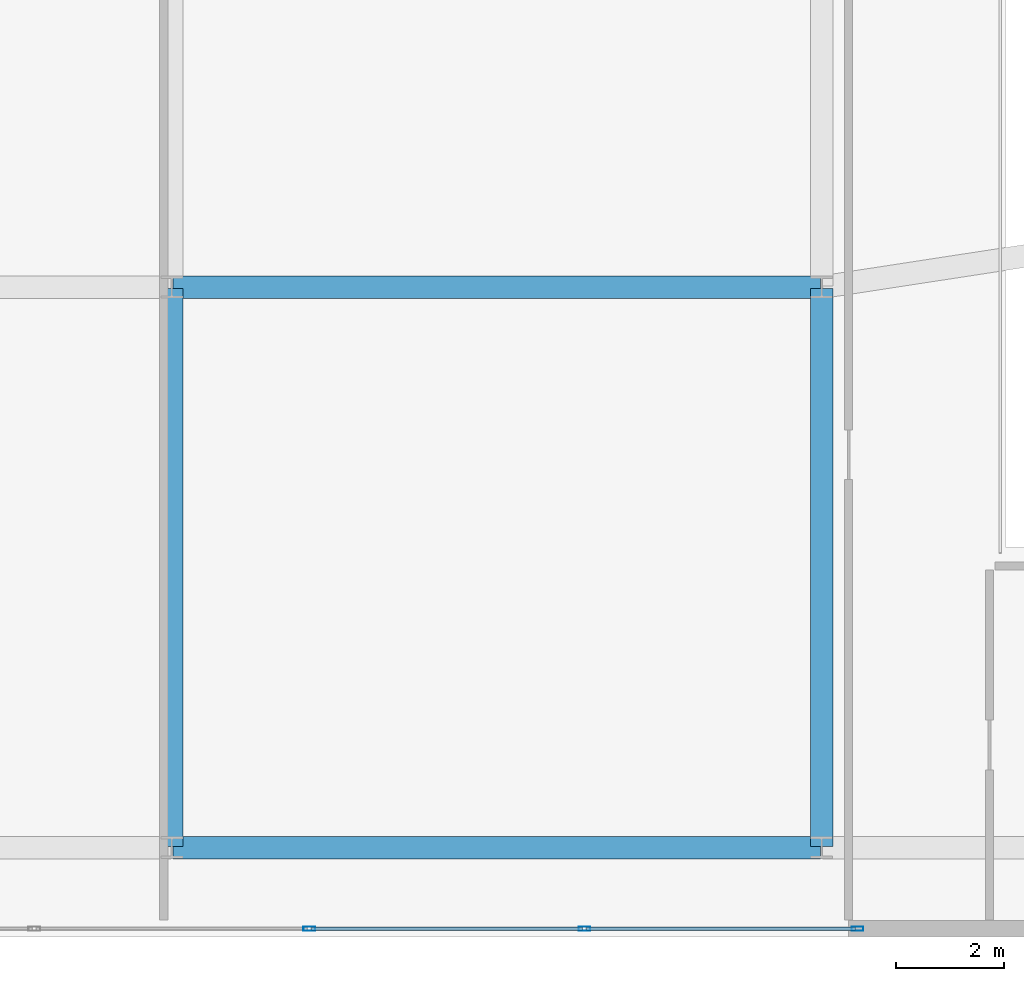
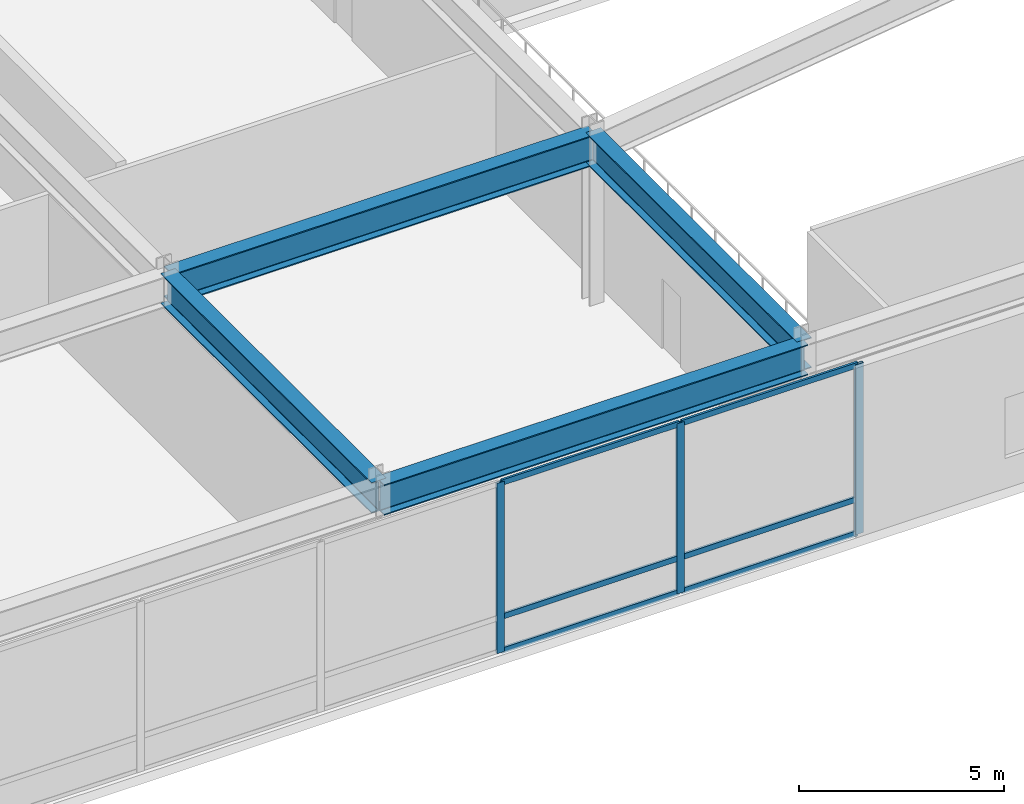
# One storey, part 6 of 13: 9 members, 4 beams, 1 element without a shape of its own.
"""IFC4 building model written with IfcOpenShell, lengths in metres."""

import ifcopenshell
import ifcopenshell.guid

model = None  # the IFC model being written
_history = None  # IfcOwnerHistory: only IFC2X3 demands one
_inside = {}  # id of a spatial element -> (the spatial element, [elements in it])
_under = {}  # id of a project, library or spatial element -> (it, [spatial elements below it])
_declared = {}  # id of a project -> (the project, [libraries it declares])
_typed = {}  # id of a type object -> (the type object, [elements of that type])
_made_of = {}  # id of a material, layer set ... -> (it, [elements and type objects made of it])


def new_model(schema):
    """Start an empty IFC model of exactly this schema.

    Asked for "IFC4X3", IfcOpenShell would pick the latest addendum, in which some entities
    have other attributes; the version numbers below select the first issue.
    IFC2X3 requires an IfcOwnerHistory on every rooted entity: one is made here for all.
    """
    global model, _history
    if schema == "IFC4X3":
        model = ifcopenshell.file(schema_version=(4, 3, 0, 0))
    else:
        model = ifcopenshell.file(schema=schema)
    _inside.clear()
    _under.clear()
    _declared.clear()
    _typed.clear()
    _made_of.clear()
    _history = None
    if model.schema == "IFC2X3":
        org = make("IfcOrganization", Name="unknown")
        user = make(
            "IfcPersonAndOrganization",
            ThePerson=make("IfcPerson", FamilyName="unknown"),
            TheOrganization=org,
        )
        app = make(
            "IfcApplication",
            ApplicationDeveloper=org,
            Version="unknown",
            ApplicationFullName="unknown",
            ApplicationIdentifier="unknown",
        )
        _history = make(
            "IfcOwnerHistory",
            OwningUser=user,
            OwningApplication=app,
            ChangeAction="ADDED",
            CreationDate=0,
        )
    return model


def make(cls, **values):
    """One entity of the class cls with the attributes given. An attribute that is None is left unset."""
    return model.create_entity(
        cls, **{name: value for name, value in values.items() if value is not None}
    )


def rooted(cls, **values):
    """An entity with a GlobalId (a new one), such as an element, a storey or a relation."""
    return make(cls, GlobalId=ifcopenshell.guid.new(), OwnerHistory=_history, **values)


def si_unit(unit_type, name, prefix=None):
    """IfcSIUnit, for example si_unit("LENGTHUNIT", "METRE", prefix="MILLI")."""
    return make("IfcSIUnit", UnitType=unit_type, Prefix=prefix, Name=name)


def assignment(units):
    """IfcUnitAssignment: the units of a project."""
    return None if units is None else make("IfcUnitAssignment", Units=units)


def point(xyz):
    """IfcCartesianPoint."""
    return None if xyz is None else make("IfcCartesianPoint", Coordinates=xyz)


def direction(xyz):
    """IfcDirection."""
    return None if xyz is None else make("IfcDirection", DirectionRatios=xyz)


def frame(location, z_axis=None, x_axis=None):
    """IfcAxis2Placement3D, a coordinate frame: its origin and axes. An axis left out is left unset."""
    return make(
        "IfcAxis2Placement3D",
        Location=point(location),
        Axis=direction(z_axis),
        RefDirection=direction(x_axis),
    )


def frame_2d(location, x_axis=None):
    """IfcAxis2Placement2D, a coordinate frame in the plane: its origin and x axis."""
    return make(
        "IfcAxis2Placement2D", Location=point(location), RefDirection=direction(x_axis)
    )


def origin():
    """The frame at (0, 0, 0) with its axes left unset."""
    return frame((0.0, 0.0, 0.0))


def origin_2d():
    """The frame at (0, 0) in the plane with its x axis left unset."""
    return frame_2d((0.0, 0.0))


def place(relative_to, where):
    """IfcLocalPlacement: puts the frame where relative to a parent placement (None: the world)."""
    return make(
        "IfcLocalPlacement", PlacementRelTo=relative_to, RelativePlacement=where
    )


def context(
    kind, dimensions, precision=None, world=None, true_north=None, identifier=None
):
    """IfcGeometricRepresentationContext, for example the 3D "Model" context."""
    return make(
        "IfcGeometricRepresentationContext",
        ContextIdentifier=identifier,
        ContextType=kind,
        CoordinateSpaceDimension=dimensions,
        Precision=precision,
        WorldCoordinateSystem=world,
        TrueNorth=true_north,
    )


def subcontext(parent, identifier, kind, view, scale=None):
    """IfcGeometricRepresentationSubContext, for example "Body" below "Model"."""
    return make(
        "IfcGeometricRepresentationSubContext",
        ContextIdentifier=identifier,
        ContextType=kind,
        ParentContext=parent,
        TargetScale=scale,
        TargetView=view,
    )


def project(units=None, contexts=None):
    """IfcProject with its units and contexts."""
    return rooted(
        "IfcProject",
        Name="project",
        RepresentationContexts=contexts,
        UnitsInContext=assignment(units),
    )


def spatial(cls, under=None, at=None, **own):
    """A site, building, storey or space (cls), placed at a placement, below another one or the project."""
    s = rooted(cls, ObjectPlacement=at, **own)
    if under is not None:
        _under.setdefault(under.id(), (under, []))[1].append(s)
    return s


def profile(cls, at=None, kind="AREA", **sizes):
    """A parametric profile (cls). Its sizes go by their IFC names, for example OverallWidth=200.0."""
    return make(cls, ProfileType=kind, Position=at, **sizes)


def hollow_rectangle(**sizes):
    """IfcRectangleHollowProfileDef."""
    return profile("IfcRectangleHollowProfileDef", **sizes)


def i_section(**sizes):
    """IfcIShapeProfileDef."""
    return profile("IfcIShapeProfileDef", **sizes)


def extrude(swept, where, along, depth):
    """IfcExtrudedAreaSolid: the profile swept, set in the frame where, extruded along a direction by depth."""
    return make(
        "IfcExtrudedAreaSolid",
        SweptArea=swept,
        Position=where,
        ExtrudedDirection=direction(along),
        Depth=depth,
    )


def shape(context_of_items, identifier, shape_type, items):
    """IfcShapeRepresentation: the items that make up one representation, for example the "Body"."""
    return make(
        "IfcShapeRepresentation",
        ContextOfItems=context_of_items,
        RepresentationIdentifier=identifier,
        RepresentationType=shape_type,
        Items=items,
    )


def source(mapping_origin, context_of_items, identifier, shape_type, items):
    """IfcRepresentationMap: a shape defined once, which mapped items show again and again."""
    return make(
        "IfcRepresentationMap",
        MappingOrigin=mapping_origin,
        MappedRepresentation=shape(context_of_items, identifier, shape_type, items),
    )


def transform(
    local_origin,
    x_axis=None,
    y_axis=None,
    z_axis=None,
    scale=None,
    scale2=None,
    scale3=None,
    uniform=True,
):
    """IfcCartesianTransformationOperator3D, or its non-uniform kind. x_axis, y_axis, z_axis: its Axis1, 2, 3."""
    if uniform:
        return make(
            "IfcCartesianTransformationOperator3D",
            Axis1=direction(x_axis),
            Axis2=direction(y_axis),
            LocalOrigin=point(local_origin),
            Scale=scale,
            Axis3=direction(z_axis),
        )
    return make(
        "IfcCartesianTransformationOperator3DnonUniform",
        Axis1=direction(x_axis),
        Axis2=direction(y_axis),
        LocalOrigin=point(local_origin),
        Scale=scale,
        Axis3=direction(z_axis),
        Scale2=scale2,
        Scale3=scale3,
    )


def mapped(mapping_source, mapping_target):
    """IfcMappedItem: shows the shape of a source again, moved by a transform."""
    return make(
        "IfcMappedItem", MappingSource=mapping_source, MappingTarget=mapping_target
    )


def material(Name=None, Category=None):
    """IfcMaterial."""
    return make("IfcMaterial", Name=Name, Category=Category)


def layer(
    of_material, thickness, ventilated=None, Name=None, Category=None, Priority=None
):
    """IfcMaterialLayer: one layer of a wall or slab, of a material (None: an air gap)."""
    return make(
        "IfcMaterialLayer",
        Material=of_material,
        LayerThickness=thickness,
        IsVentilated=ventilated,
        Name=Name,
        Category=Category,
        Priority=Priority,
    )


def layer_set(layers, Name=None):
    """IfcMaterialLayerSet."""
    return make("IfcMaterialLayerSet", MaterialLayers=layers, LayerSetName=Name)


def material_profile(
    of_material, cross_section, Name=None, Category=None, Priority=None
):
    """IfcMaterialProfile: a cross section and its material."""
    return make(
        "IfcMaterialProfile",
        Name=Name,
        Material=of_material,
        Profile=cross_section,
        Priority=Priority,
        Category=Category,
    )


def profile_set(profiles, Name=None, composite=None):
    """IfcMaterialProfileSet."""
    return make(
        "IfcMaterialProfileSet",
        Name=Name,
        MaterialProfiles=profiles,
        CompositeProfile=composite,
    )


def made_of(thing, what):
    """Note that an element or type object is made of a material, layer set ...; save() writes the relation."""
    if what is not None:
        _made_of.setdefault(what.id(), (what, []))[1].append(thing)
    return thing


def type_object(cls, material=None, **own):
    """A type object (cls), such as IfcWallType, which elements share."""
    return made_of(rooted(cls, **own), material)


def type_shapes(of_type, sources):
    """Give a type object the sources (RepresentationMaps) that its elements show as mapped items."""
    of_type.RepresentationMaps = sources


def element(
    cls,
    number,
    at=None,
    inside=None,
    cuts=None,
    type_object=None,
    material=None,
    context=None,
    identifier="Body",
    shape_type=None,
    held_by="IfcProductDefinitionShape",
    body=None,
    shapes=None,
    **own,
):
    """One element of the class cls, such as IfcWall. Its Tag is "e" and its number.

    at: its placement. inside: the storey or other place that contains it. cuts: it is an
    opening in that element (IfcRelVoidsElement). A single representation is given by context,
    identifier, shape_type and body (its items); several are given by shapes. held_by: the class
    of the entity that holds the representations. save() writes the other relations.
    """
    e = rooted(cls, Tag="e%d" % number, ObjectPlacement=at, **own)
    if body is not None:
        shapes = [shape(context, identifier, shape_type, body)]
    if shapes is not None:
        e.Representation = make(held_by, Representations=shapes)
    if inside is not None:
        _inside.setdefault(inside.id(), (inside, []))[1].append(e)
    if cuts is not None:
        rooted(
            "IfcRelVoidsElement", RelatingBuildingElement=cuts, RelatedOpeningElement=e
        )
    if type_object is not None:
        _typed.setdefault(type_object.id(), (type_object, []))[1].append(e)
    return made_of(e, material)


def aggregate(whole, parts):
    """IfcRelAggregates: a whole, such as a stair, and the parts it consists of."""
    return rooted("IfcRelAggregates", RelatingObject=whole, RelatedObjects=parts)


def save(model, path):
    """Write the relations noted so far, then the file.

    IfcRelAggregates (storeys below a building ...), IfcRelContainedInSpatialStructure (elements
    in a storey), IfcRelDefinesByType, IfcRelAssociatesMaterial and IfcRelDeclares: one each for
    every whole, place, type object, material and project.
    """
    for whole, parts in _under.values():
        aggregate(whole, parts)
    for where, things in _inside.values():
        rooted(
            "IfcRelContainedInSpatialStructure",
            RelatedElements=things,
            RelatingStructure=where,
        )
    for kind, things in _typed.values():
        rooted("IfcRelDefinesByType", RelatedObjects=things, RelatingType=kind)
    for what, things in _made_of.values():
        rooted("IfcRelAssociatesMaterial", RelatedObjects=things, RelatingMaterial=what)
    for by, libraries in _declared.values():
        rooted("IfcRelDeclares", RelatingContext=by, RelatedDefinitions=libraries)
    model.write(path)


model = new_model("IFC4")

# Units and contexts
model_context = context("Model", 3, precision=1e-05, world=origin(), true_north=direction((0.0, 1.0)))
body_context = subcontext(model_context, "Body", "Model", "MODEL_VIEW")
ifc_project = project(units=[si_unit("LENGTHUNIT", "METRE"), si_unit("AREAUNIT", "SQUARE_METRE"), si_unit("VOLUMEUNIT", "CUBIC_METRE"), si_unit("PLANEANGLEUNIT", "RADIAN"), si_unit("MASSUNIT", "GRAM", prefix="KILO")], contexts=[model_context])

# Site, building, storey
site_placement = place(None, origin())
site = spatial("IfcSite", under=ifc_project, at=site_placement, CompositionType="ELEMENT")
building_placement = place(site_placement, origin())
building = spatial("IfcBuilding", under=site, at=building_placement, Name="Varnel Quay Broadcast Tower", CompositionType="ELEMENT")
storey_placement = place(building_placement, frame((0.0, 0.0, 16.800048828125)))
storey = spatial("IfcBuildingStorey", under=building, at=storey_placement, Name="L03", CompositionType="ELEMENT", Elevation=16.800048828125)

# Beams
ifc_material_1 = material(Name="Structural Steel CSA G40.21 350W", Category="steel")
ifc_material_profile_1 = material_profile(ifc_material_1, i_section(OverallWidth=0.41796875, OverallDepth=0.912109375, WebThickness=0.019287109375, FlangeThickness=0.031982421875, FilletRadius=0.02197265625, at=origin_2d()), Name="W920X342")
ifc_profile_set_1 = profile_set([ifc_material_profile_1], Name="Structural Steel CSA G40.21 350W")
beam_type = type_object("IfcBeamType", Name="Girder_W920X342", PredefinedType="BEAM", material=ifc_profile_set_1)
shared_shape_1 = source(origin(), body_context, "Body", "SweptSolid", [
    extrude(i_section(OverallWidth=0.41796875, OverallDepth=0.912109375, WebThickness=0.019287109375, FlangeThickness=0.031982421875, FilletRadius=0.02197265625, at=origin_2d()), origin(), (0.0, 0.0, 1.0), 11.9599609375),
])
for number, where, z_axis, x_axis, name in (
    (1, (34.02001953125, 1.64990234375, 4.6240234375), (1.0, 0.0, 0.0), (0.0, 1.0, 0.0), "L03 Girder G-PS3"),
    (2, (34.02001953125, 12.0, 4.6240234375), (1.0, 0.0, 0.0), (0.0, 1.0, 0.0), "L03 Girder G-STC1B"),
):
    element("IfcBeam", number, at=place(storey_placement, frame(where, z_axis=z_axis, x_axis=x_axis)), inside=storey, type_object=beam_type, Name=name, PredefinedType="BEAM", context=body_context, shape_type="MappedRepresentation", body=[
        mapped(shared_shape_1, transform((0.0, 0.0, 0.0), x_axis=(1.0, 0.0, 0.0), y_axis=(0.0, 1.0, 0.0), z_axis=(0.0, 0.0, 1.0), scale=1.0)),
    ])
shared_shape_2 = source(origin(), body_context, "Body", "SweptSolid", [
    extrude(i_section(OverallWidth=0.41796875, OverallDepth=0.912109375, WebThickness=0.019287109375, FlangeThickness=0.031982421875, FilletRadius=0.02197265625, at=origin_2d()), origin(), (0.0, 0.0, 1.0), 10.31005859375),
])
type_shapes(beam_type, [shared_shape_1, shared_shape_2])
for number, where, z_axis, x_axis, name in (
    (3, (34.0, 1.669921875, 4.6240234375), (0.0, 1.0, 0.0), (-1.0, 0.0, 0.0), "L03 Girder G-M2B"),
    (4, (46.0, 1.669921875, 4.6240234375), (0.0, 1.0, 0.0), (-1.0, 0.0, 0.0), "L03 Girder G-M3"),
):
    element("IfcBeam", number, at=place(storey_placement, frame(where, z_axis=z_axis, x_axis=x_axis)), inside=storey, type_object=beam_type, Name=name, PredefinedType="BEAM", context=body_context, shape_type="MappedRepresentation", body=[
        mapped(shared_shape_2, transform((0.0, 0.0, 0.0), x_axis=(1.0, 0.0, 0.0), y_axis=(0.0, 1.0, 0.0), z_axis=(0.0, 0.0, 1.0), scale=1.0)),
    ])

# Curtain wall, members
ifc_material_2 = material(Name="Anodised Bronze Aluminium 6063-T6", Category="aluminium")
ifc_layer = layer(ifc_material_2, 0.18994140625, Name="Anodised Bronze Aluminium 6063-T6")
ifc_layer_set = layer_set([ifc_layer], Name="Anodised Bronze Aluminium 6063-T6")
curtain_wall_type = type_object("IfcCurtainWallType", Name="CW_PodiumForum", PredefinedType="NOTDEFINED", material=ifc_layer_set)
curtain_wall_placement = place(storey_placement, origin())
curtain_wall = element("IfcCurtainWall", 5, at=curtain_wall_placement, inside=storey, type_object=curtain_wall_type, Name="L03 Waterfront Forum Curtain Wall", PredefinedType="NOTDEFINED")
ifc_material_profile_2 = material_profile(ifc_material_2, hollow_rectangle(XDim=0.06494140625, YDim=0.1650390625, WallThickness=0.00341796875, at=origin_2d()), Name="ALU65X165X3.5")
ifc_profile_set_2 = profile_set([ifc_material_profile_2], Name="Anodised Bronze Aluminium 6063-T6")
member_type_1 = type_object("IfcMemberType", Name="Tran_CWS-01", PredefinedType="USERDEFINED", material=ifc_profile_set_2)
shared_shape_3 = source(origin(), body_context, "Body", "SweptSolid", [
    extrude(hollow_rectangle(XDim=0.06494140625, YDim=0.1650390625, WallThickness=0.00341796875, at=origin_2d()), origin(), (0.0, 0.0, 1.0), 4.967529296875),
])
member_1_placement = place(storey_placement, frame((41.657470703125, 0.14990234375, 0.032470703125), z_axis=(1.0, 0.0, 0.0), x_axis=(0.0, 1.0, 0.0)))
member_1 = element("IfcMember", 6, at=member_1_placement, type_object=member_type_1, Name="CWS-01 transom 5.1", ObjectType="TRANSOM", PredefinedType="USERDEFINED", context=body_context, shape_type="MappedRepresentation", body=[
    mapped(shared_shape_3, transform((0.0, 0.0, 0.0), x_axis=(1.0, 0.0, 0.0), y_axis=(0.0, 1.0, 0.0), z_axis=(0.0, 0.0, 1.0), scale=1.0)),
])
member_2_placement = place(storey_placement, frame((41.657470703125, 0.14990234375, 1.050048828125), z_axis=(1.0, 0.0, 0.0), x_axis=(0.0, 1.0, 0.0)))
member_2 = element("IfcMember", 7, at=member_2_placement, type_object=member_type_1, Name="CWS-01 transom 5.2", ObjectType="TRANSOM", PredefinedType="USERDEFINED", context=body_context, shape_type="MappedRepresentation", body=[
    mapped(shared_shape_3, transform((0.0, 0.0, 0.0), x_axis=(1.0, 0.0, 0.0), y_axis=(0.0, 1.0, 0.0), z_axis=(0.0, 0.0, 1.0), scale=1.0)),
])
member_3_placement = place(storey_placement, frame((41.657470703125, 0.14990234375, 5.04736328125), z_axis=(1.0, 0.0, 0.0), x_axis=(0.0, 1.0, 0.0)))
member_3 = element("IfcMember", 8, at=member_3_placement, type_object=member_type_1, Name="CWS-01 transom 5.3", ObjectType="TRANSOM", PredefinedType="USERDEFINED", context=body_context, shape_type="MappedRepresentation", body=[
    mapped(shared_shape_3, transform((0.0, 0.0, 0.0), x_axis=(1.0, 0.0, 0.0), y_axis=(0.0, 1.0, 0.0), z_axis=(0.0, 0.0, 1.0), scale=1.0)),
])
shared_shape_4 = source(origin(), body_context, "Body", "SweptSolid", [
    extrude(hollow_rectangle(XDim=0.06494140625, YDim=0.1650390625, WallThickness=0.00341796875, at=origin_2d()), origin(), (0.0, 0.0, 1.0), 5.005126953125),
])
type_shapes(member_type_1, [shared_shape_3, shared_shape_4])
member_4_placement = place(storey_placement, frame((36.577392578125, 0.14990234375, 0.032470703125), z_axis=(1.0, 0.0, 0.0), x_axis=(0.0, 1.0, 0.0)))
member_4 = element("IfcMember", 9, at=member_4_placement, type_object=member_type_1, Name="CWS-01 transom 4.1", ObjectType="TRANSOM", PredefinedType="USERDEFINED", context=body_context, shape_type="MappedRepresentation", body=[
    mapped(shared_shape_4, transform((0.0, 0.0, 0.0), x_axis=(1.0, 0.0, 0.0), y_axis=(0.0, 1.0, 0.0), z_axis=(0.0, 0.0, 1.0), scale=1.0)),
])
member_5_placement = place(storey_placement, frame((36.577392578125, 0.14990234375, 1.050048828125), z_axis=(1.0, 0.0, 0.0), x_axis=(0.0, 1.0, 0.0)))
member_5 = element("IfcMember", 10, at=member_5_placement, type_object=member_type_1, Name="CWS-01 transom 4.2", ObjectType="TRANSOM", PredefinedType="USERDEFINED", context=body_context, shape_type="MappedRepresentation", body=[
    mapped(shared_shape_4, transform((0.0, 0.0, 0.0), x_axis=(1.0, 0.0, 0.0), y_axis=(0.0, 1.0, 0.0), z_axis=(0.0, 0.0, 1.0), scale=1.0)),
])
member_6_placement = place(storey_placement, frame((36.577392578125, 0.14990234375, 5.04736328125), z_axis=(1.0, 0.0, 0.0), x_axis=(0.0, 1.0, 0.0)))
member_6 = element("IfcMember", 11, at=member_6_placement, type_object=member_type_1, Name="CWS-01 transom 4.3", ObjectType="TRANSOM", PredefinedType="USERDEFINED", context=body_context, shape_type="MappedRepresentation", body=[
    mapped(shared_shape_4, transform((0.0, 0.0, 0.0), x_axis=(1.0, 0.0, 0.0), y_axis=(0.0, 1.0, 0.0), z_axis=(0.0, 0.0, 1.0), scale=1.0)),
])
ifc_material_profile_3 = material_profile(ifc_material_2, hollow_rectangle(XDim=0.074951171875, YDim=0.219970703125, WallThickness=0.00390625, at=origin_2d()), Name="ALU75X220X4")
ifc_profile_set_3 = profile_set([ifc_material_profile_3], Name="Anodised Bronze Aluminium 6063-T6")
member_type_2 = type_object("IfcMemberType", Name="Mull_CWS-01", PredefinedType="MULLION", material=ifc_profile_set_3)
shared_shape_5 = source(origin(), body_context, "Body", "SweptSolid", [
    extrude(hollow_rectangle(XDim=0.074951171875, YDim=0.219970703125, WallThickness=0.00390625, at=origin_2d()), origin(), (0.0, 0.0, 1.0), 5.079833984375),
])
type_shapes(member_type_2, [shared_shape_5])
member_7_placement = place(storey_placement, frame((36.5400390625, 0.14990234375, 0.0), z_axis=(0.0, 0.0, 1.0), x_axis=(0.0, 1.0, 0.0)))
member_7 = element("IfcMember", 12, at=member_7_placement, type_object=member_type_2, Name="CWS-01 mullion 4", PredefinedType="MULLION", context=body_context, shape_type="MappedRepresentation", body=[
    mapped(shared_shape_5, transform((0.0, 0.0, 0.0), x_axis=(1.0, 0.0, 0.0), y_axis=(0.0, 1.0, 0.0), z_axis=(0.0, 0.0, 1.0), scale=1.0)),
])
member_8_placement = place(storey_placement, frame((41.6201171875, 0.14990234375, 0.0), z_axis=(0.0, 0.0, 1.0), x_axis=(0.0, 1.0, 0.0)))
member_8 = element("IfcMember", 13, at=member_8_placement, type_object=member_type_2, Name="CWS-01 mullion 5", PredefinedType="MULLION", context=body_context, shape_type="MappedRepresentation", body=[
    mapped(shared_shape_5, transform((0.0, 0.0, 0.0), x_axis=(1.0, 0.0, 0.0), y_axis=(0.0, 1.0, 0.0), z_axis=(0.0, 0.0, 1.0), scale=1.0)),
])
member_9_placement = place(storey_placement, frame((46.66259765625, 0.14990234375, 0.0), z_axis=(0.0, 0.0, 1.0), x_axis=(0.0, 1.0, 0.0)))
member_9 = element("IfcMember", 14, at=member_9_placement, type_object=member_type_2, Name="CWS-01 mullion 6", PredefinedType="MULLION", context=body_context, shape_type="MappedRepresentation", body=[
    mapped(shared_shape_5, transform((0.0, 0.0, 0.0), x_axis=(1.0, 0.0, 0.0), y_axis=(0.0, 1.0, 0.0), z_axis=(0.0, 0.0, 1.0), scale=1.0)),
])
aggregate(curtain_wall, [member_7, member_8, member_9, member_4, member_5, member_6, member_1, member_2, member_3])

save(model, "model.ifc")
